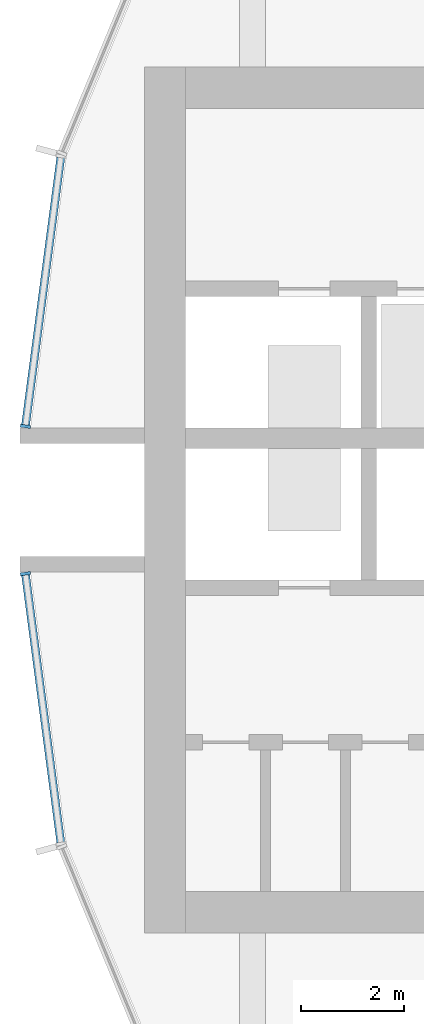
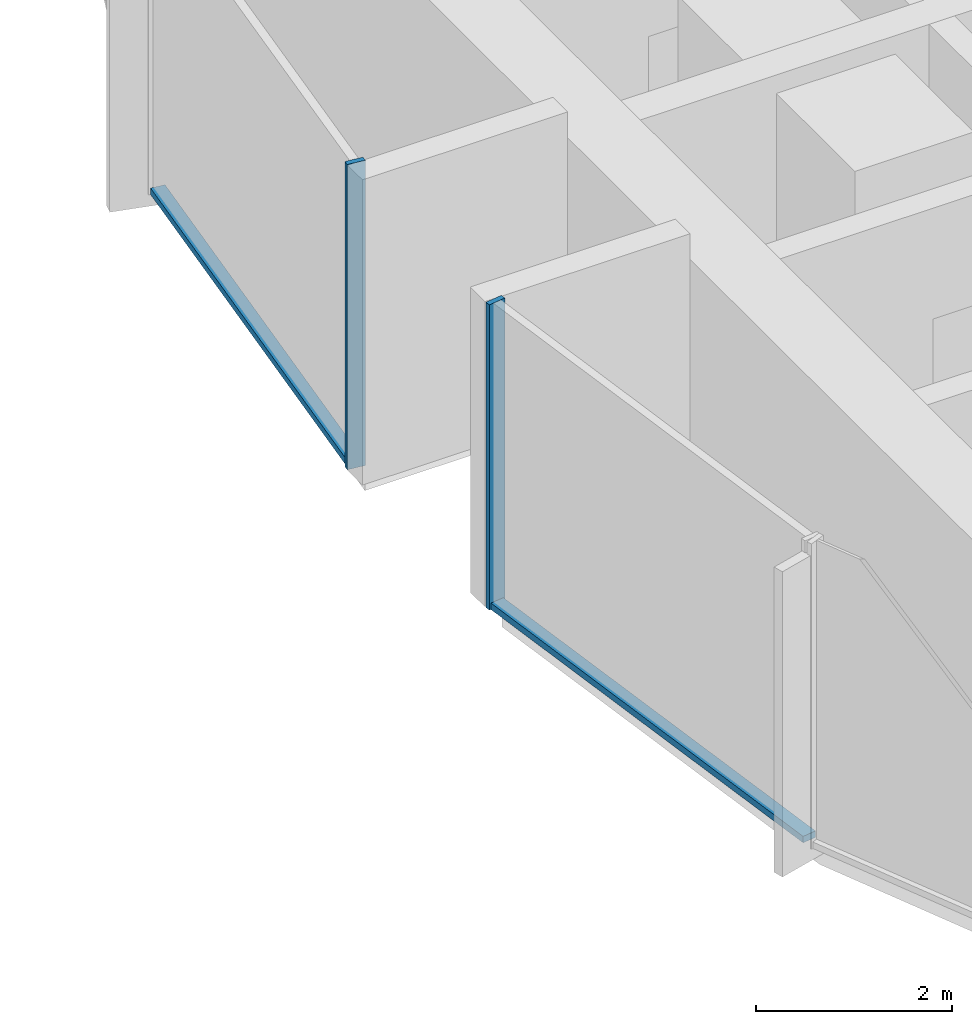
# One storey, part 3 of 15: 4 members, 2 elements without a shape of their own.
"""IFC4 building model written with IfcOpenShell, lengths in metres."""

from ifc_helpers import new_model, si_unit, direction, frame, origin, origin_2d, place, context, subcontext, project, spatial, rectangle, extrude, material, layer, layer_set, material_profile, profile_set, type_object, element, aggregate, save


model = new_model("IFC4")

# Units and contexts
model_context = context("Model", 3, precision=1e-05, world=origin(), true_north=direction((0.0, 1.0)))
body_context = subcontext(model_context, "Body", "Model", "MODEL_VIEW")
ifc_project = project(units=[si_unit("LENGTHUNIT", "METRE"), si_unit("AREAUNIT", "SQUARE_METRE"), si_unit("VOLUMEUNIT", "CUBIC_METRE"), si_unit("PLANEANGLEUNIT", "RADIAN"), si_unit("MASSUNIT", "GRAM", prefix="KILO")], contexts=[model_context])

# Site, building, storey
site_placement = place(None, origin())
site = spatial("IfcSite", under=ifc_project, at=site_placement, CompositionType="ELEMENT")
building_placement = place(site_placement, origin())
building = spatial("IfcBuilding", under=site, at=building_placement, Name="Torre Brocal", CompositionType="ELEMENT")
storey_placement = place(building_placement, frame((0.0, 0.0, 59.199951171875)))
storey = spatial("IfcBuildingStorey", under=building, at=storey_placement, Name="L13", CompositionType="ELEMENT", Elevation=59.199951171875)

# Curtain wall, member
ifc_material_1 = material(Name="Aluminium and glass", Category="aluminium")
ifc_layer = layer(ifc_material_1, 0.199951171875)
ifc_layer_set = layer_set([ifc_layer], Name="Aluminium and glass")
curtain_wall_type = type_object("IfcCurtainWallType", Name="CW-1B CURTAIN WALL 3800 HIGH", PredefinedType="NOTDEFINED", material=ifc_layer_set)
curtain_wall_1_placement = place(storey_placement, origin())
curtain_wall_1 = element("IfcCurtainWall", 1, at=curtain_wall_1_placement, inside=storey, type_object=curtain_wall_type, Name="CW-1B RUN 12", PredefinedType="NOTDEFINED")
ifc_material_2 = material(Name="Aluminium, dark anodised", Category="aluminium")
ifc_material_profile_1 = material_profile(ifc_material_2, rectangle(XDim=0.199951171875, YDim=0.06005859375, at=origin_2d()), Name="CW-1B MULLION 60X200")
ifc_profile_set_1 = profile_set([ifc_material_profile_1], Name="Aluminium, dark anodised")
member_type_1 = type_object("IfcMemberType", Name="CW-1B MULLION 60X200", PredefinedType="MULLION", material=ifc_profile_set_1)
member_1_placement = place(storey_placement, frame((54.2890625, 76.4296875, 0.0), z_axis=(0.0, 0.0, 1.0), x_axis=(0.991444861374, -0.13052619222, 0.0)))
member_1 = element("IfcMember", 2, at=member_1_placement, type_object=member_type_1, Name="CW1B-1 mullion 2", PredefinedType="MULLION", context=body_context, shape_type="SweptSolid", body=[
    extrude(rectangle(XDim=0.199951171875, YDim=0.06005859375, at=origin_2d()), origin(), (0.0, 0.0, 1.0), 3.800048828125),
])

curtain_wall_2_placement = place(storey_placement, origin())
curtain_wall_2 = element("IfcCurtainWall", 3, at=curtain_wall_2_placement, inside=storey, type_object=curtain_wall_type, Name="CW-1B RUN 13", PredefinedType="NOTDEFINED")
member_2_placement = place(storey_placement, frame((54.2890625, 73.5703125, 0.0), z_axis=(0.0, 0.0, 1.0), x_axis=(0.991444861374, 0.13052619222, 0.0)))
member_2 = element("IfcMember", 4, at=member_2_placement, type_object=member_type_1, Name="CW1B-1 mullion 1", PredefinedType="MULLION", context=body_context, shape_type="SweptSolid", body=[
    extrude(rectangle(XDim=0.199951171875, YDim=0.06005859375, at=origin_2d()), origin(), (0.0, 0.0, 1.0), 3.800048828125),
])

# Member
ifc_material_3 = material(Name="Aluminium, dark anodised", Category="aluminium")
ifc_material_profile_2 = material_profile(ifc_material_3, rectangle(XDim=0.159912109375, YDim=0.080078125, at=origin_2d()), Name="CW-1B TRANSOM 160X80")
ifc_profile_set_2 = profile_set([ifc_material_profile_2], Name="Aluminium, dark anodised")
member_type_2 = type_object("IfcMemberType", Name="CW-1B TRANSOM 160X80", PredefinedType="USERDEFINED", material=ifc_profile_set_2)
member_3_placement = place(storey_placement, frame((54.9755859375, 81.643798828125, 0.0400390625), z_axis=(-0.130542677827, -0.991442690863, 0.0), x_axis=(0.991442690863, -0.130542677827, 0.0)))
member_3 = element("IfcMember", 5, at=member_3_placement, type_object=member_type_2, Name="CW1B-1 transom 1.1", ObjectType="TRANSOM", PredefinedType="USERDEFINED", context=body_context, shape_type="SweptSolid", body=[
    extrude(rectangle(XDim=0.159912109375, YDim=0.080078125, at=origin_2d()), origin(), (0.0, 0.0, 1.0), 5.22900390625),
])

aggregate(curtain_wall_1, [member_1, member_3])

member_4_placement = place(storey_placement, frame((54.29296875, 73.54052734375, 0.0400390625), z_axis=(0.130542677827, -0.991442690863, 0.0), x_axis=(0.991442690863, 0.130542677827, 0.0)))
member_4 = element("IfcMember", 6, at=member_4_placement, type_object=member_type_2, Name="CW1B-1 transom 1.1", ObjectType="TRANSOM", PredefinedType="USERDEFINED", context=body_context, shape_type="SweptSolid", body=[
    extrude(rectangle(XDim=0.159912109375, YDim=0.080078125, at=origin_2d()), origin(), (0.0, 0.0, 1.0), 5.22900390625),
])

aggregate(curtain_wall_2, [member_2, member_4])

save(model, "model.ifc")
